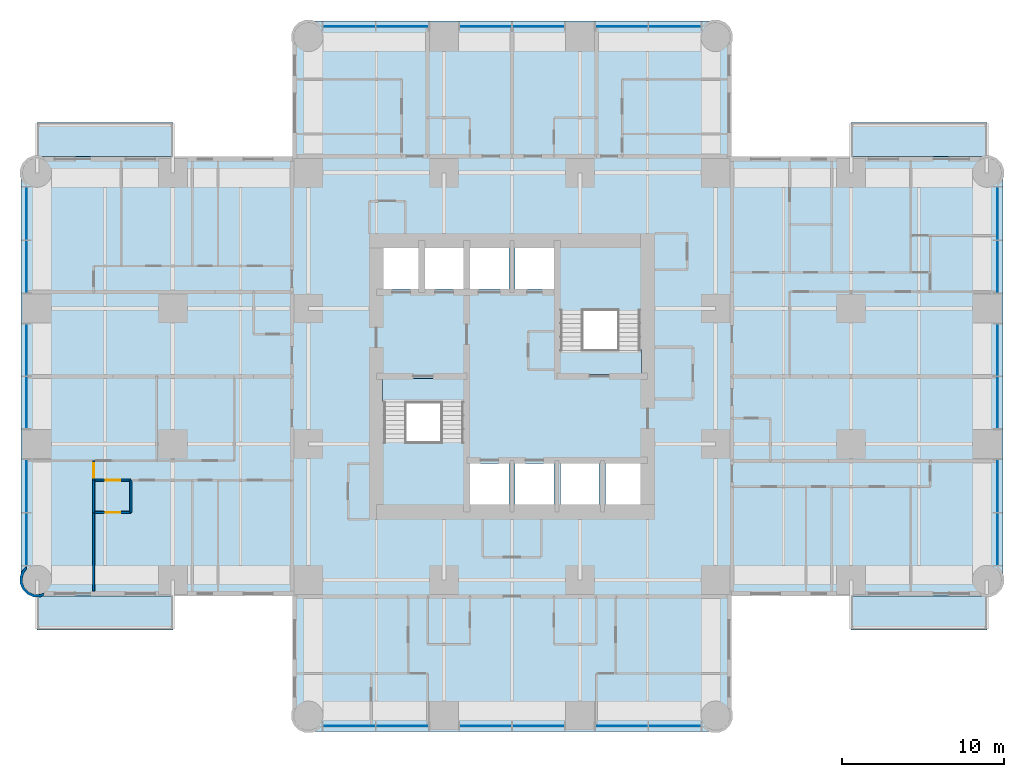
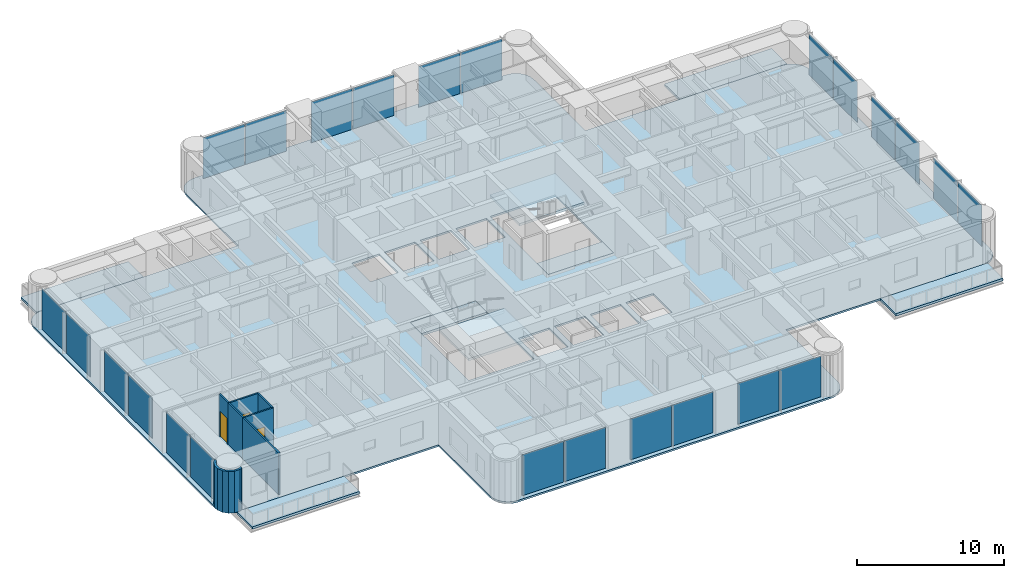
# One storey, part 5 of 14: 24 plates, 9 slabs, 7 walls, 3 doors, 3 openings, 6 elements without a shape of their own.
"""IFC4 building model written with IfcOpenShell, lengths in metres."""

from ifc_helpers import new_model, si_unit, direction, frame, frame_2d, origin, origin_2d, place, context, subcontext, project, spatial, polyline, rectangle, outline, extrude, material, layer, layer_set, type_object, element, fill, aggregate, save


model = new_model("IFC4")

# Units and contexts
model_context = context("Model", 3, precision=1e-05, world=origin(), true_north=direction((0.0, 1.0)))
body_context = subcontext(model_context, "Body", "Model", "MODEL_VIEW")
ifc_project = project(units=[si_unit("LENGTHUNIT", "METRE"), si_unit("AREAUNIT", "SQUARE_METRE"), si_unit("VOLUMEUNIT", "CUBIC_METRE"), si_unit("PLANEANGLEUNIT", "RADIAN"), si_unit("MASSUNIT", "GRAM", prefix="KILO")], contexts=[model_context])

# Site, building, storey
site_placement = place(None, origin())
site = spatial("IfcSite", under=ifc_project, at=site_placement, CompositionType="ELEMENT")
building_placement = place(site_placement, origin())
building = spatial("IfcBuilding", under=site, at=building_placement, Name="Torre Alcanfor", CompositionType="ELEMENT")
storey_placement = place(building_placement, frame((0.0, 0.0, 170.10009765625)))
storey = spatial("IfcBuildingStorey", under=building, at=storey_placement, Name="L44", CompositionType="ELEMENT", Elevation=170.10009765625)

# Slabs
ifc_material_1 = material(Name="Concrete f'c 35 MPa", Category="concrete")
ifc_layer_1 = layer(ifc_material_1, 0.199951171875)
ifc_layer_set_1 = layer_set([ifc_layer_1], Name="Balcony slab 200")
slab_type_1 = type_object("IfcSlabType", Name="Balcony slab 200", PredefinedType="FLOOR", material=ifc_layer_set_1)
slab_1_placement = place(storey_placement, frame((0.0, 0.0, -0.2001953125)))
element("IfcSlab", 1, at=slab_1_placement, inside=storey, type_object=slab_type_1, Name="Balcony L44-E1", PredefinedType="FLOOR", context=body_context, shape_type="SweptSolid", body=[
    extrude(outline(polyline([(50.39990234375, 43.0), (58.800048828125, 43.0), (58.800048828125, 45.10009765625), (50.39990234375, 45.10009765625), (50.39990234375, 43.0)])), origin(), (0.0, 0.0, 1.0), 0.2001953125),
])
slab_2_placement = place(storey_placement, frame((0.0, 0.0, -0.2001953125)))
element("IfcSlab", 2, at=slab_2_placement, inside=storey, type_object=slab_type_1, Name="Balcony L44-E2", PredefinedType="FLOOR", context=body_context, shape_type="SweptSolid", body=[
    extrude(outline(polyline([(50.39990234375, 13.699951171875), (58.800048828125, 13.699951171875), (58.800048828125, 15.800048828125), (50.39990234375, 15.800048828125), (50.39990234375, 13.699951171875)])), origin(), (0.0, 0.0, 1.0), 0.2001953125),
])
slab_3_placement = place(storey_placement, frame((0.0, 0.0, -0.2001953125)))
element("IfcSlab", 3, at=slab_3_placement, inside=storey, type_object=slab_type_1, Name="Balcony L44-W1", PredefinedType="FLOOR", context=body_context, shape_type="SweptSolid", body=[
    extrude(outline(polyline([(8.39990234375, 15.800048828125), (0.0, 15.800048828125), (0.0, 13.699951171875), (8.39990234375, 13.699951171875), (8.39990234375, 15.800048828125)])), origin(), (0.0, 0.0, 1.0), 0.2001953125),
])
slab_4_placement = place(storey_placement, frame((0.0, 0.0, -0.2001953125)))
element("IfcSlab", 4, at=slab_4_placement, inside=storey, type_object=slab_type_1, Name="Balcony L44-W2", PredefinedType="FLOOR", context=body_context, shape_type="SweptSolid", body=[
    extrude(outline(polyline([(8.39990234375, 45.10009765625), (0.0, 45.10009765625), (0.0, 43.0), (8.39990234375, 43.0), (8.39990234375, 45.10009765625)])), origin(), (0.0, 0.0, 1.0), 0.2001953125),
])

# Curtain wall, plates
ifc_material_2 = material(Name="Aluminium and glass", Category="aluminium")
curtain_wall_type = type_object("IfcCurtainWallType", Name="CW-A unitised apartment glazing with vertical FIN", PredefinedType="NOTDEFINED", material=ifc_material_2)
curtain_wall_1_placement = place(storey_placement, origin())
curtain_wall_1 = element("IfcCurtainWall", 5, at=curtain_wall_1_placement, inside=storey, type_object=curtain_wall_type, Name="Curtain wall CW-A L44 2", PredefinedType="NOTDEFINED")
ifc_material_3 = material(Name="Glass", Category="glass")
ifc_layer_2 = layer(ifc_material_3, 0.028076171875)
ifc_layer_set_2 = layer_set([ifc_layer_2], Name="CW-A clear double glazed unit")
plate_type = type_object("IfcPlateType", Name="CW-A clear double glazed unit", PredefinedType="CURTAIN_PANEL", material=ifc_layer_set_2)
plate_1_placement = place(storey_placement, frame((-0.64990234375, 39.484130859375, 0.0), z_axis=(0.0, 0.0, 1.0), x_axis=(0.0, -1.0, 0.0)))
plate_1 = element("IfcPlate", 6, at=plate_1_placement, type_object=plate_type, Name="CW-A panel 1.1.1", PredefinedType="CURTAIN_PANEL", context=body_context, shape_type="SweptSolid", body=[
    extrude(rectangle(XDim=3.232666015625, YDim=0.028076171875, at=origin_2d()), origin(), (0.0, 0.0, 1.0), 3.385009765625),
])
plate_2_placement = place(storey_placement, frame((-0.64990234375, 36.186279296875, 0.0), z_axis=(0.0, 0.0, 1.0), x_axis=(0.0, -1.0, 0.0)))
plate_2 = element("IfcPlate", 7, at=plate_2_placement, type_object=plate_type, Name="CW-A panel 1.2.1", PredefinedType="CURTAIN_PANEL", context=body_context, shape_type="SweptSolid", body=[
    extrude(rectangle(XDim=3.232666015625, YDim=0.028076171875, at=origin_2d()), origin(), (0.0, 0.0, 1.0), 3.385009765625),
])
plate_3_placement = place(storey_placement, frame((-0.64990234375, 31.03125, 0.0), z_axis=(0.0, 0.0, 1.0), x_axis=(0.0, -1.0, 0.0)))
plate_3 = element("IfcPlate", 8, at=plate_3_placement, type_object=plate_type, Name="CW-A panel 2.1.1", PredefinedType="CURTAIN_PANEL", context=body_context, shape_type="SweptSolid", body=[
    extrude(rectangle(XDim=3.197509765625, YDim=0.028076171875, at=origin_2d()), origin(), (0.0, 0.0, 1.0), 3.385009765625),
])
plate_4_placement = place(storey_placement, frame((-0.64990234375, 27.768798828125, 0.0), z_axis=(0.0, 0.0, 1.0), x_axis=(0.0, -1.0, 0.0)))
plate_4 = element("IfcPlate", 9, at=plate_4_placement, type_object=plate_type, Name="CW-A panel 2.2.1", PredefinedType="CURTAIN_PANEL", context=body_context, shape_type="SweptSolid", body=[
    extrude(rectangle(XDim=3.197509765625, YDim=0.028076171875, at=origin_2d()), origin(), (0.0, 0.0, 1.0), 3.385009765625),
])
plate_5_placement = place(storey_placement, frame((-0.64990234375, 22.613525390625, 0.0), z_axis=(0.0, 0.0, 1.0), x_axis=(0.0, -1.0, 0.0)))
plate_5 = element("IfcPlate", 10, at=plate_5_placement, type_object=plate_type, Name="CW-A panel 3.1.1", PredefinedType="CURTAIN_PANEL", context=body_context, shape_type="SweptSolid", body=[
    extrude(rectangle(XDim=3.232666015625, YDim=0.028076171875, at=origin_2d()), origin(), (0.0, 0.0, 1.0), 3.385009765625),
])
plate_6_placement = place(storey_placement, frame((-0.64990234375, 19.31591796875, 0.0), z_axis=(0.0, 0.0, 1.0), x_axis=(0.0, -1.0, 0.0)))
plate_6 = element("IfcPlate", 11, at=plate_6_placement, type_object=plate_type, Name="CW-A panel 3.2.1", PredefinedType="CURTAIN_PANEL", context=body_context, shape_type="SweptSolid", body=[
    extrude(rectangle(XDim=3.232666015625, YDim=0.028076171875, at=origin_2d()), origin(), (0.0, 0.0, 1.0), 3.385009765625),
])
aggregate(curtain_wall_1, [plate_1, plate_2, plate_3, plate_4, plate_5, plate_6])

curtain_wall_2_placement = place(storey_placement, origin())
curtain_wall_2 = element("IfcCurtainWall", 12, at=curtain_wall_2_placement, inside=storey, type_object=curtain_wall_type, Name="Curtain wall CW-A L44 5", PredefinedType="NOTDEFINED")
plate_7_placement = place(storey_placement, frame((19.31591796875, 7.75, 0.0), z_axis=(0.0, 0.0, 1.0), x_axis=(1.0, 0.0, 0.0)))
plate_7 = element("IfcPlate", 13, at=plate_7_placement, type_object=plate_type, Name="CW-A panel 1.1.1", PredefinedType="CURTAIN_PANEL", context=body_context, shape_type="SweptSolid", body=[
    extrude(rectangle(XDim=3.232666015625, YDim=0.028076171875, at=origin_2d()), origin(), (0.0, 0.0, 1.0), 3.385009765625),
])
plate_8_placement = place(storey_placement, frame((22.613525390625, 7.75, 0.0), z_axis=(0.0, 0.0, 1.0), x_axis=(1.0, 0.0, 0.0)))
plate_8 = element("IfcPlate", 14, at=plate_8_placement, type_object=plate_type, Name="CW-A panel 1.2.1", PredefinedType="CURTAIN_PANEL", context=body_context, shape_type="SweptSolid", body=[
    extrude(rectangle(XDim=3.232666015625, YDim=0.028076171875, at=origin_2d()), origin(), (0.0, 0.0, 1.0), 3.385009765625),
])
plate_9_placement = place(storey_placement, frame((27.768798828125, 7.75, 0.0), z_axis=(0.0, 0.0, 1.0), x_axis=(1.0, 0.0, 0.0)))
plate_9 = element("IfcPlate", 15, at=plate_9_placement, type_object=plate_type, Name="CW-A panel 2.1.1", PredefinedType="CURTAIN_PANEL", context=body_context, shape_type="SweptSolid", body=[
    extrude(rectangle(XDim=3.197509765625, YDim=0.028076171875, at=origin_2d()), origin(), (0.0, 0.0, 1.0), 3.385009765625),
])
plate_10_placement = place(storey_placement, frame((31.03125, 7.75, 0.0), z_axis=(0.0, 0.0, 1.0), x_axis=(1.0, 0.0, 0.0)))
plate_10 = element("IfcPlate", 16, at=plate_10_placement, type_object=plate_type, Name="CW-A panel 2.2.1", PredefinedType="CURTAIN_PANEL", context=body_context, shape_type="SweptSolid", body=[
    extrude(rectangle(XDim=3.197509765625, YDim=0.028076171875, at=origin_2d()), origin(), (0.0, 0.0, 1.0), 3.385009765625),
])
plate_11_placement = place(storey_placement, frame((36.186279296875, 7.75, 0.0), z_axis=(0.0, 0.0, 1.0), x_axis=(1.0, 0.0, 0.0)))
plate_11 = element("IfcPlate", 17, at=plate_11_placement, type_object=plate_type, Name="CW-A panel 3.1.1", PredefinedType="CURTAIN_PANEL", context=body_context, shape_type="SweptSolid", body=[
    extrude(rectangle(XDim=3.232666015625, YDim=0.028076171875, at=origin_2d()), origin(), (0.0, 0.0, 1.0), 3.385009765625),
])
plate_12_placement = place(storey_placement, frame((39.484130859375, 7.75, 0.0), z_axis=(0.0, 0.0, 1.0), x_axis=(1.0, 0.0, 0.0)))
plate_12 = element("IfcPlate", 18, at=plate_12_placement, type_object=plate_type, Name="CW-A panel 3.2.1", PredefinedType="CURTAIN_PANEL", context=body_context, shape_type="SweptSolid", body=[
    extrude(rectangle(XDim=3.232666015625, YDim=0.028076171875, at=origin_2d()), origin(), (0.0, 0.0, 1.0), 3.385009765625),
])
aggregate(curtain_wall_2, [plate_7, plate_8, plate_9, plate_10, plate_11, plate_12])

curtain_wall_3_placement = place(storey_placement, origin())
curtain_wall_3 = element("IfcCurtainWall", 19, at=curtain_wall_3_placement, inside=storey, type_object=curtain_wall_type, Name="Curtain wall CW-A L44 8", PredefinedType="NOTDEFINED")
plate_13_placement = place(storey_placement, frame((59.449951171875, 19.31591796875, 0.0), z_axis=(0.0, 0.0, 1.0), x_axis=(0.0, 1.0, 0.0)))
plate_13 = element("IfcPlate", 20, at=plate_13_placement, type_object=plate_type, Name="CW-A panel 1.1.1", PredefinedType="CURTAIN_PANEL", context=body_context, shape_type="SweptSolid", body=[
    extrude(rectangle(XDim=3.232666015625, YDim=0.028076171875, at=origin_2d()), origin(), (0.0, 0.0, 1.0), 3.385009765625),
])
plate_14_placement = place(storey_placement, frame((59.449951171875, 22.613525390625, 0.0), z_axis=(0.0, 0.0, 1.0), x_axis=(0.0, 1.0, 0.0)))
plate_14 = element("IfcPlate", 21, at=plate_14_placement, type_object=plate_type, Name="CW-A panel 1.2.1", PredefinedType="CURTAIN_PANEL", context=body_context, shape_type="SweptSolid", body=[
    extrude(rectangle(XDim=3.232666015625, YDim=0.028076171875, at=origin_2d()), origin(), (0.0, 0.0, 1.0), 3.385009765625),
])
plate_15_placement = place(storey_placement, frame((59.449951171875, 27.768798828125, 0.0), z_axis=(0.0, 0.0, 1.0), x_axis=(0.0, 1.0, 0.0)))
plate_15 = element("IfcPlate", 22, at=plate_15_placement, type_object=plate_type, Name="CW-A panel 2.1.1", PredefinedType="CURTAIN_PANEL", context=body_context, shape_type="SweptSolid", body=[
    extrude(rectangle(XDim=3.197509765625, YDim=0.028076171875, at=origin_2d()), origin(), (0.0, 0.0, 1.0), 3.385009765625),
])
plate_16_placement = place(storey_placement, frame((59.449951171875, 31.03125, 0.0), z_axis=(0.0, 0.0, 1.0), x_axis=(0.0, 1.0, 0.0)))
plate_16 = element("IfcPlate", 23, at=plate_16_placement, type_object=plate_type, Name="CW-A panel 2.2.1", PredefinedType="CURTAIN_PANEL", context=body_context, shape_type="SweptSolid", body=[
    extrude(rectangle(XDim=3.197509765625, YDim=0.028076171875, at=origin_2d()), origin(), (0.0, 0.0, 1.0), 3.385009765625),
])
plate_17_placement = place(storey_placement, frame((59.449951171875, 36.186279296875, 0.0), z_axis=(0.0, 0.0, 1.0), x_axis=(0.0, 1.0, 0.0)))
plate_17 = element("IfcPlate", 24, at=plate_17_placement, type_object=plate_type, Name="CW-A panel 3.1.1", PredefinedType="CURTAIN_PANEL", context=body_context, shape_type="SweptSolid", body=[
    extrude(rectangle(XDim=3.232666015625, YDim=0.028076171875, at=origin_2d()), origin(), (0.0, 0.0, 1.0), 3.385009765625),
])
plate_18_placement = place(storey_placement, frame((59.449951171875, 39.484130859375, 0.0), z_axis=(0.0, 0.0, 1.0), x_axis=(0.0, 1.0, 0.0)))
plate_18 = element("IfcPlate", 25, at=plate_18_placement, type_object=plate_type, Name="CW-A panel 3.2.1", PredefinedType="CURTAIN_PANEL", context=body_context, shape_type="SweptSolid", body=[
    extrude(rectangle(XDim=3.232666015625, YDim=0.028076171875, at=origin_2d()), origin(), (0.0, 0.0, 1.0), 3.385009765625),
])
aggregate(curtain_wall_3, [plate_13, plate_14, plate_15, plate_16, plate_17, plate_18])

curtain_wall_4_placement = place(storey_placement, origin())
curtain_wall_4 = element("IfcCurtainWall", 26, at=curtain_wall_4_placement, inside=storey, type_object=curtain_wall_type, Name="Curtain wall CW-A L44 11", PredefinedType="NOTDEFINED")
plate_19_placement = place(storey_placement, frame((39.484130859375, 51.050048828125, 0.0), z_axis=(0.0, 0.0, 1.0), x_axis=(-1.0, 0.0, 0.0)))
plate_19 = element("IfcPlate", 27, at=plate_19_placement, type_object=plate_type, Name="CW-A panel 1.1.1", PredefinedType="CURTAIN_PANEL", context=body_context, shape_type="SweptSolid", body=[
    extrude(rectangle(XDim=3.232666015625, YDim=0.028076171875, at=origin_2d()), origin(), (0.0, 0.0, 1.0), 3.385009765625),
])
plate_20_placement = place(storey_placement, frame((36.186279296875, 51.050048828125, 0.0), z_axis=(0.0, 0.0, 1.0), x_axis=(-1.0, 0.0, 0.0)))
plate_20 = element("IfcPlate", 28, at=plate_20_placement, type_object=plate_type, Name="CW-A panel 1.2.1", PredefinedType="CURTAIN_PANEL", context=body_context, shape_type="SweptSolid", body=[
    extrude(rectangle(XDim=3.232666015625, YDim=0.028076171875, at=origin_2d()), origin(), (0.0, 0.0, 1.0), 3.385009765625),
])
plate_21_placement = place(storey_placement, frame((31.03125, 51.050048828125, 0.0), z_axis=(0.0, 0.0, 1.0), x_axis=(-1.0, 0.0, 0.0)))
plate_21 = element("IfcPlate", 29, at=plate_21_placement, type_object=plate_type, Name="CW-A panel 2.1.1", PredefinedType="CURTAIN_PANEL", context=body_context, shape_type="SweptSolid", body=[
    extrude(rectangle(XDim=3.197509765625, YDim=0.028076171875, at=origin_2d()), origin(), (0.0, 0.0, 1.0), 3.385009765625),
])
plate_22_placement = place(storey_placement, frame((27.768798828125, 51.050048828125, 0.0), z_axis=(0.0, 0.0, 1.0), x_axis=(-1.0, 0.0, 0.0)))
plate_22 = element("IfcPlate", 30, at=plate_22_placement, type_object=plate_type, Name="CW-A panel 2.2.1", PredefinedType="CURTAIN_PANEL", context=body_context, shape_type="SweptSolid", body=[
    extrude(rectangle(XDim=3.197509765625, YDim=0.028076171875, at=origin_2d()), origin(), (0.0, 0.0, 1.0), 3.385009765625),
])
plate_23_placement = place(storey_placement, frame((22.613525390625, 51.050048828125, 0.0), z_axis=(0.0, 0.0, 1.0), x_axis=(-1.0, 0.0, 0.0)))
plate_23 = element("IfcPlate", 31, at=plate_23_placement, type_object=plate_type, Name="CW-A panel 3.1.1", PredefinedType="CURTAIN_PANEL", context=body_context, shape_type="SweptSolid", body=[
    extrude(rectangle(XDim=3.232666015625, YDim=0.028076171875, at=origin_2d()), origin(), (0.0, 0.0, 1.0), 3.385009765625),
])
plate_24_placement = place(storey_placement, frame((19.31591796875, 51.050048828125, 0.0), z_axis=(0.0, 0.0, 1.0), x_axis=(-1.0, 0.0, 0.0)))
plate_24 = element("IfcPlate", 32, at=plate_24_placement, type_object=plate_type, Name="CW-A panel 3.2.1", PredefinedType="CURTAIN_PANEL", context=body_context, shape_type="SweptSolid", body=[
    extrude(rectangle(XDim=3.232666015625, YDim=0.028076171875, at=origin_2d()), origin(), (0.0, 0.0, 1.0), 3.385009765625),
])
aggregate(curtain_wall_4, [plate_19, plate_20, plate_21, plate_22, plate_23, plate_24])

# Slab
ifc_material_4 = material(Name="Concrete f'c 35 MPa", Category="concrete")
ifc_layer_3 = layer(ifc_material_4, 0.14990234375)
ifc_layer_set_3 = layer_set([ifc_layer_3], Name="Composite floor 150 on metal deck")
slab_type_2 = type_object("IfcSlabType", Name="Composite floor 150 on metal deck", PredefinedType="FLOOR", material=ifc_layer_set_3)
slab_5_placement = place(storey_placement, frame((0.0, 0.0, -0.150146484375)))
element("IfcSlab", 33, at=slab_5_placement, inside=storey, type_object=slab_type_2, Name="Floor slab L44", PredefinedType="FLOOR", context=body_context, shape_type="SweptSolid", body=[
    extrude(outline(polyline([(15.800048828125, 43.0), (0.39990234375, 43.0), (0.03759765625, 42.952392578125), (-0.300048828125, 42.8125), (-0.58984375, 42.58984375), (-0.8125, 42.300048828125), (-0.952392578125, 41.96240234375), (-1.0, 41.60009765625), (-1.0, 17.199951171875), (-0.952392578125, 16.837646484375), (-0.8125, 16.5), (-0.58984375, 16.210205078125), (-0.300048828125, 15.987548828125), (0.03759765625, 15.84765625), (0.39990234375, 15.800048828125), (15.800048828125, 15.800048828125), (15.800048828125, 8.800048828125), (15.84765625, 8.437744140625), (15.987548828125, 8.10009765625), (16.210205078125, 7.81005859375), (16.5, 7.587646484375), (16.837646484375, 7.44775390625), (17.199951171875, 7.39990234375), (41.60009765625, 7.39990234375), (41.96240234375, 7.44775390625), (42.300048828125, 7.587646484375), (42.58984375, 7.81005859375), (42.8125, 8.10009765625), (42.952392578125, 8.437744140625), (43.0, 8.800048828125), (43.0, 15.800048828125), (58.39990234375, 15.800048828125), (58.76220703125, 15.84765625), (59.10009765625, 15.987548828125), (59.389892578125, 16.210205078125), (59.6123046875, 16.5), (59.752197265625, 16.837646484375), (59.800048828125, 17.199951171875), (59.800048828125, 41.60009765625), (59.752197265625, 41.96240234375), (59.6123046875, 42.300048828125), (59.389892578125, 42.58984375), (59.10009765625, 42.8125), (58.76220703125, 42.952392578125), (58.39990234375, 43.0), (43.0, 43.0), (43.0, 50.0), (42.952392578125, 50.3623046875), (42.8125, 50.699951171875), (42.58984375, 50.989990234375), (42.300048828125, 51.21240234375), (41.96240234375, 51.352294921875), (41.60009765625, 51.39990234375), (17.199951171875, 51.39990234375), (16.837646484375, 51.352294921875), (16.5, 51.21240234375), (16.210205078125, 50.989990234375), (15.987548828125, 50.699951171875), (15.84765625, 50.3623046875), (15.800048828125, 50.0), (15.800048828125, 43.0)]), holes=[polyline([(21.3701171875, 21.3701171875), (26.47998046875, 21.3701171875), (26.47998046875, 29.280029296875), (21.3701171875, 29.280029296875), (21.3701171875, 21.3701171875)]), polyline([(32.320068359375, 29.52001953125), (37.429931640625, 29.52001953125), (37.429931640625, 37.429931640625), (32.320068359375, 37.429931640625), (32.320068359375, 29.52001953125)]), polyline([(26.800048828125, 21.449951171875), (29.199951171875, 21.449951171875), (29.199951171875, 24.0), (26.800048828125, 24.0), (26.800048828125, 21.449951171875)]), polyline([(29.60009765625, 21.449951171875), (32.0, 21.449951171875), (32.0, 24.0), (29.60009765625, 24.0), (29.60009765625, 21.449951171875)]), polyline([(32.39990234375, 21.449951171875), (34.800048828125, 21.449951171875), (34.800048828125, 24.0), (32.39990234375, 24.0), (32.39990234375, 21.449951171875)]), polyline([(35.199951171875, 21.449951171875), (37.35009765625, 21.449951171875), (37.35009765625, 24.0), (35.199951171875, 24.0), (35.199951171875, 21.449951171875)]), polyline([(21.449951171875, 34.800048828125), (23.60009765625, 34.800048828125), (23.60009765625, 37.35009765625), (21.449951171875, 37.35009765625), (21.449951171875, 34.800048828125)]), polyline([(24.0, 34.800048828125), (26.39990234375, 34.800048828125), (26.39990234375, 37.35009765625), (24.0, 37.35009765625), (24.0, 34.800048828125)]), polyline([(26.800048828125, 34.800048828125), (29.199951171875, 34.800048828125), (29.199951171875, 37.35009765625), (26.800048828125, 37.35009765625), (26.800048828125, 34.800048828125)]), polyline([(29.60009765625, 34.800048828125), (32.0, 34.800048828125), (32.0, 37.35009765625), (29.60009765625, 37.35009765625), (29.60009765625, 34.800048828125)])]), origin(), (0.0, 0.0, 1.0), 0.150146484375),
])

# Stair, slabs
ifc_material_5 = material(Name="Concrete f'c 35 MPa", Category="concrete")
stair_type_1 = type_object("IfcStairType", Name="Exit stair S1 1400 wide", PredefinedType="HALF_TURN_STAIR", material=ifc_material_5)
stair_1_placement = place(storey_placement, origin())
stair_1 = element("IfcStair", 34, at=stair_1_placement, inside=storey, type_object=stair_type_1, Name="Stair S1 L44 to L45", PredefinedType="HALF_TURN_STAIR")
ifc_material_6 = material(Name="Concrete f'c 35 MPa", Category="concrete")
ifc_layer_4 = layer(ifc_material_6, 0.199951171875)
ifc_layer_set_4 = layer_set([ifc_layer_4], Name="Stair landing 200")
slab_type_3 = type_object("IfcSlabType", Name="Stair landing 200", PredefinedType="LANDING", material=ifc_layer_set_4)
slab_6_placement = place(storey_placement, frame((0.0, 0.0, -0.2001953125)))
slab_6 = element("IfcSlab", 35, at=slab_6_placement, type_object=slab_type_3, Name="S1 landing 1", PredefinedType="LANDING", context=body_context, shape_type="SweptSolid", body=[
    extrude(outline(polyline([(21.3701171875, 27.75), (26.47998046875, 27.75), (26.47998046875, 29.280029296875), (21.3701171875, 29.280029296875), (21.3701171875, 27.75)])), origin(), (0.0, 0.0, 1.0), 0.2001953125),
])
slab_7_placement = place(storey_placement, frame((0.0, 0.0, 1.599853515625)))
slab_7 = element("IfcSlab", 36, at=slab_7_placement, type_object=slab_type_3, Name="S1 landing 2", PredefinedType="LANDING", context=body_context, shape_type="SweptSolid", body=[
    extrude(outline(polyline([(21.3701171875, 21.3701171875), (26.47998046875, 21.3701171875), (26.47998046875, 25.330078125), (21.3701171875, 25.330078125), (21.3701171875, 21.3701171875)])), origin(), (0.0, 0.0, 1.0), 0.199951171875),
])
aggregate(stair_1, [slab_6, slab_7])

ifc_material_7 = material(Name="Concrete f'c 35 MPa", Category="concrete")
stair_type_2 = type_object("IfcStairType", Name="Exit stair S2 1400 wide", PredefinedType="HALF_TURN_STAIR", material=ifc_material_7)
stair_2_placement = place(storey_placement, origin())
stair_2 = element("IfcStair", 37, at=stair_2_placement, inside=storey, type_object=stair_type_2, Name="Stair S2 L44 to L45", PredefinedType="HALF_TURN_STAIR")
slab_8_placement = place(storey_placement, frame((0.0, 0.0, -0.2001953125)))
slab_8 = element("IfcSlab", 38, at=slab_8_placement, type_object=slab_type_3, Name="S2 landing 1", PredefinedType="LANDING", context=body_context, shape_type="SweptSolid", body=[
    extrude(outline(polyline([(32.320068359375, 29.52001953125), (37.429931640625, 29.52001953125), (37.429931640625, 31.050048828125), (32.320068359375, 31.050048828125), (32.320068359375, 29.52001953125)])), origin(), (0.0, 0.0, 1.0), 0.2001953125),
])
slab_9_placement = place(storey_placement, frame((0.0, 0.0, 1.599853515625)))
slab_9 = element("IfcSlab", 39, at=slab_9_placement, type_object=slab_type_3, Name="S2 landing 2", PredefinedType="LANDING", context=body_context, shape_type="SweptSolid", body=[
    extrude(outline(polyline([(32.320068359375, 33.469970703125), (37.429931640625, 33.469970703125), (37.429931640625, 37.429931640625), (32.320068359375, 37.429931640625), (32.320068359375, 33.469970703125)])), origin(), (0.0, 0.0, 1.0), 0.199951171875),
])
aggregate(stair_2, [slab_8, slab_9])

# Wall, opening, door
ifc_material_8 = material(Name="Gypsum board on steel studs", Category="steel")
ifc_layer_5 = layer(ifc_material_8, 0.1201171875)
ifc_layer_set_5 = layer_set([ifc_layer_5], Name="Apartment partition 120")
wall_type_1 = type_object("IfcWallType", Name="Apartment partition 120", PredefinedType="PARTITIONING", material=ifc_layer_set_5)
wall_1_placement = place(storey_placement, frame((3.5, 22.970947265625, 0.0), z_axis=(0.0, 0.0, 1.0), x_axis=(1.0, 0.0, 0.0)))
wall_1 = element("IfcWall", 40, at=wall_1_placement, inside=storey, type_object=wall_type_1, Name="Partition L44-W1-HALL / L44-W1-VEST", PredefinedType="PARTITIONING", context=body_context, shape_type="SweptSolid", body=[
    extrude(rectangle(XDim=2.300048828125, YDim=0.1201171875, at=frame_2d((1.14990234375, 0.0))), origin(), (0.0, 0.0, 1.0), 3.449951171875),
])
opening_1_placement = place(wall_1_placement, frame((0.75, 0.0, 0.0)))
opening_1 = element("IfcOpeningElement", 41, at=opening_1_placement, cuts=wall_1, Name="Opening D-R1", PredefinedType="OPENING", context=body_context, shape_type="SweptSolid", body=[
    extrude(rectangle(XDim=0.89990234375, YDim=2.10009765625, at=frame_2d((0.449951171875, 1.050048828125))), frame((0.0, 0.070068359375, 0.0), z_axis=(0.0, -1.0, 0.0), x_axis=(1.0, 0.0, 0.0)), (0.0, 0.0, 1.0), 0.14013671875),
])
ifc_material_9 = material(Name="Timber", Category="wood")
door_type = type_object("IfcDoorType", Name="Internal door 900x2100", OperationType="SINGLE_SWING_LEFT", PredefinedType="DOOR", material=ifc_material_9)
door_1_placement = place(opening_1_placement, frame((0.89990234375, 0.0, 0.0), z_axis=(0.0, 0.0, 1.0), x_axis=(-1.0, 0.0, 0.0)))
door_1 = element("IfcDoor", 42, at=door_1_placement, inside=storey, type_object=door_type, Name="Door L44-W1 vest", OperationType="SINGLE_SWING_LEFT", OverallHeight=2.10009765625, OverallWidth=0.89990234375, PredefinedType="DOOR", context=body_context, shape_type="SweptSolid", body=[
    extrude(rectangle(XDim=0.89990234375, YDim=2.10009765625, at=frame_2d((0.449951171875, 1.050048828125))), frame((0.0, 0.025146484375, 0.0), z_axis=(0.0, -1.0, 0.0), x_axis=(1.0, 0.0, 0.0)), (0.0, 0.0, 1.0), 0.050048828125),
])
fill(opening_1, door_1)

wall_2_placement = place(storey_placement, frame((3.5, 24.1708984375, 0.0), z_axis=(0.0, 0.0, 1.0), x_axis=(0.0, -1.0, 0.0)))
wall_2 = element("IfcWall", 43, at=wall_2_placement, inside=storey, type_object=wall_type_1, Name="Partition L44-W1-HALL / L44-W1-WGARD", PredefinedType="PARTITIONING", context=body_context, shape_type="SweptSolid", body=[
    extrude(rectangle(XDim=1.199951171875, YDim=0.1201171875, at=frame_2d((0.60009765625, 0.0))), origin(), (0.0, 0.0, 1.0), 3.449951171875),
])
opening_2_placement = place(wall_2_placement, frame((0.15087890625, 0.0, 0.0)))
opening_2 = element("IfcOpeningElement", 44, at=opening_2_placement, cuts=wall_2, Name="Opening D-R1", PredefinedType="OPENING", context=body_context, shape_type="SweptSolid", body=[
    extrude(rectangle(XDim=0.89990234375, YDim=2.10009765625, at=frame_2d((0.449951171875, 1.050048828125))), frame((0.0, 0.070068359375, 0.0), z_axis=(0.0, -1.0, 0.0), x_axis=(1.0, 0.0, 0.0)), (0.0, 0.0, 1.0), 0.14013671875),
])
door_2_placement = place(opening_2_placement, frame((0.89990234375, 0.0, 0.0), z_axis=(0.0, 0.0, 1.0), x_axis=(-1.0, 0.0, 0.0)))
door_2 = element("IfcDoor", 45, at=door_2_placement, inside=storey, type_object=door_type, Name="Door L44-W1 wgard", OperationType="SINGLE_SWING_RIGHT", OverallHeight=2.10009765625, OverallWidth=0.89990234375, PredefinedType="DOOR", context=body_context, shape_type="SweptSolid", body=[
    extrude(rectangle(XDim=0.89990234375, YDim=2.10009765625, at=frame_2d((0.449951171875, 1.050048828125))), frame((0.0, 0.025146484375, 0.0), z_axis=(0.0, -1.0, 0.0), x_axis=(1.0, 0.0, 0.0)), (0.0, 0.0, 1.0), 0.050048828125),
])
fill(opening_2, door_2)

wall_3_placement = place(storey_placement, frame((3.5, 20.970947265625, 0.0), z_axis=(0.0, 0.0, 1.0), x_axis=(1.0, 0.0, 0.0)))
wall_3 = element("IfcWall", 46, at=wall_3_placement, inside=storey, type_object=wall_type_1, Name="Partition L44-W1-MASTER / L44-W1-VEST", PredefinedType="PARTITIONING", context=body_context, shape_type="SweptSolid", body=[
    extrude(rectangle(XDim=2.300048828125, YDim=0.1201171875, at=frame_2d((1.14990234375, 0.0))), origin(), (0.0, 0.0, 1.0), 3.449951171875),
])
opening_3_placement = place(wall_3_placement, frame((0.75, 0.0, 0.0)))
opening_3 = element("IfcOpeningElement", 47, at=opening_3_placement, cuts=wall_3, Name="Opening D-R1", PredefinedType="OPENING", context=body_context, shape_type="SweptSolid", body=[
    extrude(rectangle(XDim=0.89990234375, YDim=2.10009765625, at=frame_2d((0.449951171875, 1.050048828125))), frame((0.0, 0.070068359375, 0.0), z_axis=(0.0, -1.0, 0.0), x_axis=(1.0, 0.0, 0.0)), (0.0, 0.0, 1.0), 0.14013671875),
])
door_3_placement = place(opening_3_placement, origin())
door_3 = element("IfcDoor", 48, at=door_3_placement, inside=storey, type_object=door_type, Name="Door L44-W1 master", OperationType="SINGLE_SWING_RIGHT", OverallHeight=2.10009765625, OverallWidth=0.89990234375, PredefinedType="DOOR", context=body_context, shape_type="SweptSolid", body=[
    extrude(rectangle(XDim=0.89990234375, YDim=2.10009765625, at=frame_2d((0.449951171875, 1.050048828125))), frame((0.0, 0.02490234375, 0.0), z_axis=(0.0, -1.0, 0.0), x_axis=(1.0, 0.0, 0.0)), (0.0, 0.0, 1.0), 0.050048828125),
])
fill(opening_3, door_3)

# Walls
wall_4_placement = place(storey_placement, frame((5.800048828125, 20.970947265625, 0.0), z_axis=(0.0, 0.0, 1.0), x_axis=(0.0, 1.0, 0.0)))
element("IfcWall", 49, at=wall_4_placement, inside=storey, type_object=wall_type_1, Name="Partition L44-W1-MASTER / L44-W1-VEST", PredefinedType="PARTITIONING", context=body_context, shape_type="SweptSolid", body=[
    extrude(rectangle(XDim=2.0, YDim=0.1201171875, at=frame_2d((1.0, 0.0))), origin(), (0.0, 0.0, 1.0), 3.449951171875),
])
wall_5_placement = place(storey_placement, frame((3.5, 16.10009765625, 0.0), z_axis=(0.0, 0.0, 1.0), x_axis=(0.0, 1.0, 0.0)))
element("IfcWall", 50, at=wall_5_placement, inside=storey, type_object=wall_type_1, Name="Partition L44-W1-MASTER / L44-W1-WGARD", PredefinedType="PARTITIONING", context=body_context, shape_type="SweptSolid", body=[
    extrude(rectangle(XDim=4.870849609375, YDim=0.1201171875, at=frame_2d((2.435546875, 0.0))), origin(), (0.0, 0.0, 1.0), 3.449951171875),
])
wall_6_placement = place(storey_placement, frame((3.5, 22.970947265625, 0.0), z_axis=(0.0, 0.0, 1.0), x_axis=(0.0, -1.0, 0.0)))
element("IfcWall", 51, at=wall_6_placement, inside=storey, type_object=wall_type_1, Name="Partition L44-W1-VEST / L44-W1-WGARD", PredefinedType="PARTITIONING", context=body_context, shape_type="SweptSolid", body=[
    extrude(rectangle(XDim=2.0, YDim=0.1201171875, at=frame_2d((1.0, 0.0))), origin(), (0.0, 0.0, 1.0), 3.449951171875),
])
ifc_material_10 = material(Name="Limestone cladding", Category="masonry")
ifc_layer_6 = layer(ifc_material_10, 0.0400390625, Name="Facing")
ifc_material_11 = material(Name="Ventilated air cavity")
ifc_layer_7 = layer(ifc_material_11, 0.02001953125, ventilated=True, Name="Ventilated joint")
ifc_material_12 = material(Name="Mineral wool insulation", Category="insulation")
ifc_layer_8 = layer(ifc_material_12, 0.10009765625, Name="Insulation")
ifc_material_13 = material(Name="Concrete f'c 35 MPa", Category="concrete")
ifc_layer_9 = layer(ifc_material_13, 0.139892578125, Name="Backing")
ifc_layer_set_6 = layer_set([ifc_layer_6, ifc_layer_7, ifc_layer_8, ifc_layer_9], Name="Rounded corner pier stone-clad 300")
wall_type_2 = type_object("IfcWallType", Name="Rounded corner pier stone-clad 300", PredefinedType="SOLIDWALL", material=ifc_layer_set_6)
wall_7_placement = place(storey_placement, frame((-0.610519256, 17.56659392, 0.0), z_axis=(0.0, 0.0, 1.0), x_axis=(-0.926129809145, -0.377204953059, 0.0)))
element("IfcWall", 52, at=wall_7_placement, inside=storey, type_object=wall_type_2, Name="Corner pier L44 14", PredefinedType="SOLIDWALL", context=body_context, shape_type="SweptSolid", body=[
    extrude(outline(polyline([(-0.2694320048751383, 2.0171861008885523), (-0.3700526678318482, 1.8406866495551875), (-0.10232913830325796, 1.8423628952563784), (0.22959433821660935, 1.7071732294627), (0.4846648868960458, 1.4551341488862783), (0.6237723089217844, 1.1248457008471362), (0.6256501657648526, 0.7663568996565957), (0.49046049997117414, 0.4344334231367283), (0.2387396163581813, 0.17949688931473468), (0.09014163443691028, 0.11691195088889664), (0.010851237809964043, -0.07776523799639344), (0.024417592436116662, -0.08329070117597158), (0.32956848036437986, 0.045229547111777235), (0.4801338191951393, 0.19743274075920003), (0.4990091877024963, 0.1926447125875501), (0.5075557555746872, 0.2252788612711387), (0.6260018077392729, 0.3452223941390844), (0.7850430562581303, 0.7357073014618439), (0.782472278983801, 1.15721841463542), (0.6187061231885674, 1.5460551039454697), (0.3187132761612602, 1.8424884313203629), (-0.07154552525106339, 2.0014375887862275), (-0.2401131340992967, 2.00049972024067), (-0.2694320048751383, 2.0171861008885523)])), origin(), (0.0, 0.0, 1.0), 3.449951171875),
])

save(model, "model.ifc")
